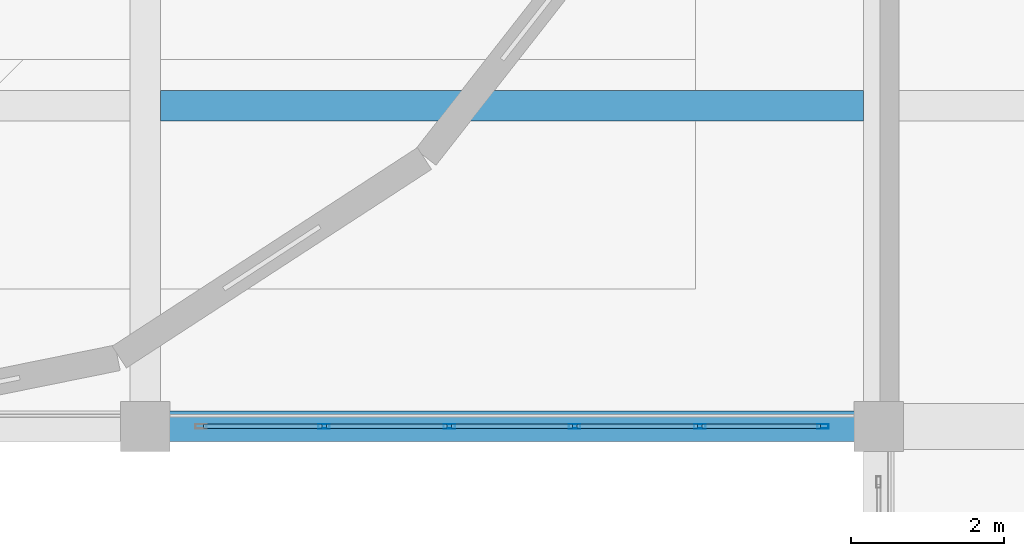
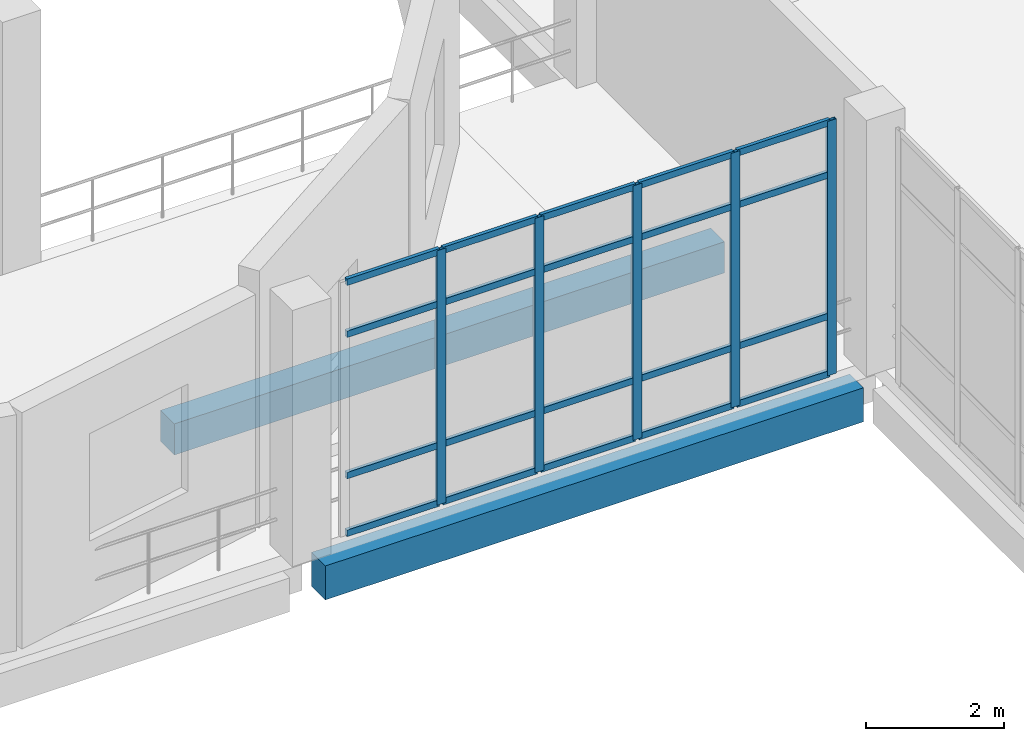
# One storey, part 37 of 88: 25 members, 2 beams, 1 element without a shape of its own.
"""IFC4 building model written with IfcOpenShell, lengths in metres."""

from ifc_helpers import new_model, si_unit, direction, frame, origin, origin_2d, place, context, subcontext, project, spatial, rectangle, hollow_rectangle, extrude, material, layer, layer_set, material_profile, profile_set, type_object, element, aggregate, save


model = new_model("IFC4")

# Units and contexts
model_context = context("Model", 3, precision=1e-05, world=origin(), true_north=direction((0.0, 1.0)))
body_context = subcontext(model_context, "Body", "Model", "MODEL_VIEW")
ifc_project = project(units=[si_unit("LENGTHUNIT", "METRE"), si_unit("AREAUNIT", "SQUARE_METRE"), si_unit("VOLUMEUNIT", "CUBIC_METRE"), si_unit("PLANEANGLEUNIT", "RADIAN"), si_unit("MASSUNIT", "GRAM", prefix="KILO")], contexts=[model_context])

# Site, building, storey
site_placement = place(None, origin())
site = spatial("IfcSite", under=ifc_project, at=site_placement, CompositionType="ELEMENT")
building_placement = place(site_placement, origin())
building = spatial("IfcBuilding", under=site, at=building_placement, Name="Lornevale Opera House", CompositionType="ELEMENT")
storey_placement = place(building_placement, frame((0.0, 0.0, 10.199951171875)))
storey = spatial("IfcBuildingStorey", under=building, at=storey_placement, Name="L03", CompositionType="ELEMENT", Elevation=10.199951171875)

# Beams
ifc_material_1 = material(Name="Concrete 35 MPa (CSA A23.1 N)", Category="concrete")
ifc_material_profile_1 = material_profile(ifc_material_1, rectangle(XDim=0.39990234375, YDim=0.550048828125, at=origin_2d()), Name="RC400x550")
ifc_profile_set_1 = profile_set([ifc_material_profile_1], Name="Concrete 35 MPa (CSA A23.1 N)")
beam_type_1 = type_object("IfcBeamType", Name="Auditorium Tier Raker Beam 400x550", PredefinedType="JOIST", material=ifc_profile_set_1)
beam_1_placement = place(storey_placement, frame((86.60009765625, 37.800048828125, -0.554931640625), z_axis=(1.0, 0.0, 0.0), x_axis=(0.0, 1.0, 0.0)))
element("IfcBeam", 1, at=beam_1_placement, inside=storey, type_object=beam_type_1, Name="Auditorium Tier Raker Beam 400x550 2414", PredefinedType="JOIST", context=body_context, shape_type="SweptSolid", body=[
    extrude(rectangle(XDim=0.39990234375, YDim=0.550048828125, at=origin_2d()), origin(), (0.0, 0.0, 1.0), 9.199951171875),
])
ifc_material_profile_2 = material_profile(ifc_material_1, rectangle(XDim=0.39990234375, YDim=0.60009765625, at=origin_2d()), Name="RC400x600")
ifc_profile_set_2 = profile_set([ifc_material_profile_2], Name="Concrete 35 MPa (CSA A23.1 N)")
beam_type_2 = type_object("IfcBeamType", Name="Concrete Spandrel Beam 400x600", PredefinedType="SPANDREL", material=ifc_profile_set_2)
beam_2_placement = place(storey_placement, frame((86.699951171875, 33.60009765625, -0.579833984375), z_axis=(1.0, 0.0, 0.0), x_axis=(0.0, 1.0, 0.0)))
element("IfcBeam", 2, at=beam_2_placement, inside=storey, type_object=beam_type_2, Name="Concrete Spandrel Beam 400x600 2123", PredefinedType="SPANDREL", context=body_context, shape_type="SweptSolid", body=[
    extrude(rectangle(XDim=0.39990234375, YDim=0.60009765625, at=origin_2d()), origin(), (0.0, 0.0, 1.0), 9.0),
])

# Curtain wall, members
ifc_material_2 = material(Name="Anodized Oxide-Green Aluminium Framing", Category="aluminium")
ifc_layer = layer(ifc_material_2, 0.14990234375)
ifc_layer_set = layer_set([ifc_layer], Name="Anodized Oxide-Green Aluminium Framing")
curtain_wall_type = type_object("IfcCurtainWallType", Name="North-Light Clerestory Curtain Wall M1600", PredefinedType="NOTDEFINED", material=ifc_layer_set)
curtain_wall_placement = place(storey_placement, origin())
curtain_wall = element("IfcCurtainWall", 3, at=curtain_wall_placement, inside=storey, type_object=curtain_wall_type, Name="North-Light Clerestory Curtain Wall M1600 CW-182", PredefinedType="NOTDEFINED")
ifc_material_profile_3 = material_profile(ifc_material_2, hollow_rectangle(XDim=0.06005859375, YDim=0.14990234375, WallThickness=0.00390625, at=origin_2d()), Name="ALU60x150x4")
ifc_profile_set_3 = profile_set([ifc_material_profile_3], Name="Anodized Oxide-Green Aluminium Framing")
member_type_1 = type_object("IfcMemberType", Name="Curtain Wall Mullion 60x150", PredefinedType="MULLION", material=ifc_profile_set_3)
member_1_placement = place(storey_placement, frame((88.739990234375, 33.60009765625, 0.0), z_axis=(0.0, 0.0, 1.0), x_axis=(0.0, 1.0, 0.0)))
member_1 = element("IfcMember", 4, at=member_1_placement, type_object=member_type_1, Name="Curtain Wall Mullion 60x150 CW3847", PredefinedType="MULLION", context=body_context, shape_type="SweptSolid", body=[
    extrude(hollow_rectangle(XDim=0.06005859375, YDim=0.14990234375, WallThickness=0.00390625, at=origin_2d()), origin(), (0.0, 0.0, 1.0), 4.5),
])
member_2_placement = place(storey_placement, frame((90.3798828125, 33.60009765625, 0.0), z_axis=(0.0, 0.0, 1.0), x_axis=(0.0, 1.0, 0.0)))
member_2 = element("IfcMember", 5, at=member_2_placement, type_object=member_type_1, Name="Curtain Wall Mullion 60x150 CW3848", PredefinedType="MULLION", context=body_context, shape_type="SweptSolid", body=[
    extrude(hollow_rectangle(XDim=0.06005859375, YDim=0.14990234375, WallThickness=0.00390625, at=origin_2d()), origin(), (0.0, 0.0, 1.0), 4.5),
])
member_3_placement = place(storey_placement, frame((92.02001953125, 33.60009765625, 0.0), z_axis=(0.0, 0.0, 1.0), x_axis=(0.0, 1.0, 0.0)))
member_3 = element("IfcMember", 6, at=member_3_placement, type_object=member_type_1, Name="Curtain Wall Mullion 60x150 CW3849", PredefinedType="MULLION", context=body_context, shape_type="SweptSolid", body=[
    extrude(hollow_rectangle(XDim=0.06005859375, YDim=0.14990234375, WallThickness=0.00390625, at=origin_2d()), origin(), (0.0, 0.0, 1.0), 4.5),
])
member_4_placement = place(storey_placement, frame((93.659912109375, 33.60009765625, 0.0), z_axis=(0.0, 0.0, 1.0), x_axis=(0.0, 1.0, 0.0)))
member_4 = element("IfcMember", 7, at=member_4_placement, type_object=member_type_1, Name="Curtain Wall Mullion 60x150 CW3850", PredefinedType="MULLION", context=body_context, shape_type="SweptSolid", body=[
    extrude(hollow_rectangle(XDim=0.06005859375, YDim=0.14990234375, WallThickness=0.00390625, at=origin_2d()), origin(), (0.0, 0.0, 1.0), 4.5),
])
member_5_placement = place(storey_placement, frame((95.27001953125, 33.60009765625, 0.0), z_axis=(0.0, 0.0, 1.0), x_axis=(0.0, 1.0, 0.0)))
member_5 = element("IfcMember", 8, at=member_5_placement, type_object=member_type_1, Name="Curtain Wall Mullion 60x150 CW3851", PredefinedType="MULLION", context=body_context, shape_type="SweptSolid", body=[
    extrude(hollow_rectangle(XDim=0.06005859375, YDim=0.14990234375, WallThickness=0.00390625, at=origin_2d()), origin(), (0.0, 0.0, 1.0), 4.5),
])
ifc_material_profile_4 = material_profile(ifc_material_2, hollow_rectangle(XDim=0.06005859375, YDim=0.114990234375, WallThickness=0.00390625, at=origin_2d()), Name="ALU60x115x4")
ifc_profile_set_4 = profile_set([ifc_material_profile_4], Name="Anodized Oxide-Green Aluminium Framing")
member_type_2 = type_object("IfcMemberType", Name="Curtain Wall Transom 60x115", PredefinedType="USERDEFINED", material=ifc_profile_set_4)
member_6_placement = place(storey_placement, frame((87.159912109375, 33.60009765625, 0.030029296875), z_axis=(1.0, 0.0, 0.0), x_axis=(0.0, 1.0, 0.0)))
member_6 = element("IfcMember", 9, at=member_6_placement, type_object=member_type_2, Name="Curtain Wall Transom 60x115 CW3852", ObjectType="TRANSOM", PredefinedType="USERDEFINED", context=body_context, shape_type="SweptSolid", body=[
    extrude(hollow_rectangle(XDim=0.06005859375, YDim=0.114990234375, WallThickness=0.00390625, at=origin_2d()), origin(), (0.0, 0.0, 1.0), 1.550048828125),
])
member_7_placement = place(storey_placement, frame((87.159912109375, 33.60009765625, 1.050048828125), z_axis=(1.0, 0.0, 0.0), x_axis=(0.0, 1.0, 0.0)))
member_7 = element("IfcMember", 10, at=member_7_placement, type_object=member_type_2, Name="Curtain Wall Transom 60x115 CW3853", ObjectType="TRANSOM", PredefinedType="USERDEFINED", context=body_context, shape_type="SweptSolid", body=[
    extrude(hollow_rectangle(XDim=0.06005859375, YDim=0.114990234375, WallThickness=0.00390625, at=origin_2d()), origin(), (0.0, 0.0, 1.0), 1.550048828125),
])
member_8_placement = place(storey_placement, frame((87.159912109375, 33.60009765625, 3.550048828125), z_axis=(1.0, 0.0, 0.0), x_axis=(0.0, 1.0, 0.0)))
member_8 = element("IfcMember", 11, at=member_8_placement, type_object=member_type_2, Name="Curtain Wall Transom 60x115 CW3854", ObjectType="TRANSOM", PredefinedType="USERDEFINED", context=body_context, shape_type="SweptSolid", body=[
    extrude(hollow_rectangle(XDim=0.06005859375, YDim=0.114990234375, WallThickness=0.00390625, at=origin_2d()), origin(), (0.0, 0.0, 1.0), 1.550048828125),
])
member_9_placement = place(storey_placement, frame((87.159912109375, 33.60009765625, 4.469970703125), z_axis=(1.0, 0.0, 0.0), x_axis=(0.0, 1.0, 0.0)))
member_9 = element("IfcMember", 12, at=member_9_placement, type_object=member_type_2, Name="Curtain Wall Transom 60x115 CW3855", ObjectType="TRANSOM", PredefinedType="USERDEFINED", context=body_context, shape_type="SweptSolid", body=[
    extrude(hollow_rectangle(XDim=0.06005859375, YDim=0.114990234375, WallThickness=0.00390625, at=origin_2d()), origin(), (0.0, 0.0, 1.0), 1.550048828125),
])
member_10_placement = place(storey_placement, frame((88.77001953125, 33.60009765625, 0.030029296875), z_axis=(1.0, 0.0, 0.0), x_axis=(0.0, 1.0, 0.0)))
member_10 = element("IfcMember", 13, at=member_10_placement, type_object=member_type_2, Name="Curtain Wall Transom 60x115 CW3859", ObjectType="TRANSOM", PredefinedType="USERDEFINED", context=body_context, shape_type="SweptSolid", body=[
    extrude(hollow_rectangle(XDim=0.06005859375, YDim=0.114990234375, WallThickness=0.00390625, at=origin_2d()), origin(), (0.0, 0.0, 1.0), 1.580078125),
])
member_11_placement = place(storey_placement, frame((88.77001953125, 33.60009765625, 1.050048828125), z_axis=(1.0, 0.0, 0.0), x_axis=(0.0, 1.0, 0.0)))
member_11 = element("IfcMember", 14, at=member_11_placement, type_object=member_type_2, Name="Curtain Wall Transom 60x115 CW3860", ObjectType="TRANSOM", PredefinedType="USERDEFINED", context=body_context, shape_type="SweptSolid", body=[
    extrude(hollow_rectangle(XDim=0.06005859375, YDim=0.114990234375, WallThickness=0.00390625, at=origin_2d()), origin(), (0.0, 0.0, 1.0), 1.580078125),
])
member_12_placement = place(storey_placement, frame((88.77001953125, 33.60009765625, 3.550048828125), z_axis=(1.0, 0.0, 0.0), x_axis=(0.0, 1.0, 0.0)))
member_12 = element("IfcMember", 15, at=member_12_placement, type_object=member_type_2, Name="Curtain Wall Transom 60x115 CW3861", ObjectType="TRANSOM", PredefinedType="USERDEFINED", context=body_context, shape_type="SweptSolid", body=[
    extrude(hollow_rectangle(XDim=0.06005859375, YDim=0.114990234375, WallThickness=0.00390625, at=origin_2d()), origin(), (0.0, 0.0, 1.0), 1.580078125),
])
member_13_placement = place(storey_placement, frame((88.77001953125, 33.60009765625, 4.469970703125), z_axis=(1.0, 0.0, 0.0), x_axis=(0.0, 1.0, 0.0)))
member_13 = element("IfcMember", 16, at=member_13_placement, type_object=member_type_2, Name="Curtain Wall Transom 60x115 CW3862", ObjectType="TRANSOM", PredefinedType="USERDEFINED", context=body_context, shape_type="SweptSolid", body=[
    extrude(hollow_rectangle(XDim=0.06005859375, YDim=0.114990234375, WallThickness=0.00390625, at=origin_2d()), origin(), (0.0, 0.0, 1.0), 1.580078125),
])
member_14_placement = place(storey_placement, frame((90.409912109375, 33.60009765625, 0.030029296875), z_axis=(1.0, 0.0, 0.0), x_axis=(0.0, 1.0, 0.0)))
member_14 = element("IfcMember", 17, at=member_14_placement, type_object=member_type_2, Name="Curtain Wall Transom 60x115 CW3866", ObjectType="TRANSOM", PredefinedType="USERDEFINED", context=body_context, shape_type="SweptSolid", body=[
    extrude(hollow_rectangle(XDim=0.06005859375, YDim=0.114990234375, WallThickness=0.00390625, at=origin_2d()), origin(), (0.0, 0.0, 1.0), 1.580078125),
])
member_15_placement = place(storey_placement, frame((90.409912109375, 33.60009765625, 1.050048828125), z_axis=(1.0, 0.0, 0.0), x_axis=(0.0, 1.0, 0.0)))
member_15 = element("IfcMember", 18, at=member_15_placement, type_object=member_type_2, Name="Curtain Wall Transom 60x115 CW3867", ObjectType="TRANSOM", PredefinedType="USERDEFINED", context=body_context, shape_type="SweptSolid", body=[
    extrude(hollow_rectangle(XDim=0.06005859375, YDim=0.114990234375, WallThickness=0.00390625, at=origin_2d()), origin(), (0.0, 0.0, 1.0), 1.580078125),
])
member_16_placement = place(storey_placement, frame((90.409912109375, 33.60009765625, 3.550048828125), z_axis=(1.0, 0.0, 0.0), x_axis=(0.0, 1.0, 0.0)))
member_16 = element("IfcMember", 19, at=member_16_placement, type_object=member_type_2, Name="Curtain Wall Transom 60x115 CW3868", ObjectType="TRANSOM", PredefinedType="USERDEFINED", context=body_context, shape_type="SweptSolid", body=[
    extrude(hollow_rectangle(XDim=0.06005859375, YDim=0.114990234375, WallThickness=0.00390625, at=origin_2d()), origin(), (0.0, 0.0, 1.0), 1.580078125),
])
member_17_placement = place(storey_placement, frame((90.409912109375, 33.60009765625, 4.469970703125), z_axis=(1.0, 0.0, 0.0), x_axis=(0.0, 1.0, 0.0)))
member_17 = element("IfcMember", 20, at=member_17_placement, type_object=member_type_2, Name="Curtain Wall Transom 60x115 CW3869", ObjectType="TRANSOM", PredefinedType="USERDEFINED", context=body_context, shape_type="SweptSolid", body=[
    extrude(hollow_rectangle(XDim=0.06005859375, YDim=0.114990234375, WallThickness=0.00390625, at=origin_2d()), origin(), (0.0, 0.0, 1.0), 1.580078125),
])
member_18_placement = place(storey_placement, frame((92.050048828125, 33.60009765625, 0.030029296875), z_axis=(1.0, 0.0, 0.0), x_axis=(0.0, 1.0, 0.0)))
member_18 = element("IfcMember", 21, at=member_18_placement, type_object=member_type_2, Name="Curtain Wall Transom 60x115 CW3873", ObjectType="TRANSOM", PredefinedType="USERDEFINED", context=body_context, shape_type="SweptSolid", body=[
    extrude(hollow_rectangle(XDim=0.06005859375, YDim=0.114990234375, WallThickness=0.00390625, at=origin_2d()), origin(), (0.0, 0.0, 1.0), 1.579833984375),
])
member_19_placement = place(storey_placement, frame((92.050048828125, 33.60009765625, 1.050048828125), z_axis=(1.0, 0.0, 0.0), x_axis=(0.0, 1.0, 0.0)))
member_19 = element("IfcMember", 22, at=member_19_placement, type_object=member_type_2, Name="Curtain Wall Transom 60x115 CW3874", ObjectType="TRANSOM", PredefinedType="USERDEFINED", context=body_context, shape_type="SweptSolid", body=[
    extrude(hollow_rectangle(XDim=0.06005859375, YDim=0.114990234375, WallThickness=0.00390625, at=origin_2d()), origin(), (0.0, 0.0, 1.0), 1.579833984375),
])
member_20_placement = place(storey_placement, frame((92.050048828125, 33.60009765625, 3.550048828125), z_axis=(1.0, 0.0, 0.0), x_axis=(0.0, 1.0, 0.0)))
member_20 = element("IfcMember", 23, at=member_20_placement, type_object=member_type_2, Name="Curtain Wall Transom 60x115 CW3875", ObjectType="TRANSOM", PredefinedType="USERDEFINED", context=body_context, shape_type="SweptSolid", body=[
    extrude(hollow_rectangle(XDim=0.06005859375, YDim=0.114990234375, WallThickness=0.00390625, at=origin_2d()), origin(), (0.0, 0.0, 1.0), 1.579833984375),
])
member_21_placement = place(storey_placement, frame((92.050048828125, 33.60009765625, 4.469970703125), z_axis=(1.0, 0.0, 0.0), x_axis=(0.0, 1.0, 0.0)))
member_21 = element("IfcMember", 24, at=member_21_placement, type_object=member_type_2, Name="Curtain Wall Transom 60x115 CW3876", ObjectType="TRANSOM", PredefinedType="USERDEFINED", context=body_context, shape_type="SweptSolid", body=[
    extrude(hollow_rectangle(XDim=0.06005859375, YDim=0.114990234375, WallThickness=0.00390625, at=origin_2d()), origin(), (0.0, 0.0, 1.0), 1.579833984375),
])
member_22_placement = place(storey_placement, frame((93.68994140625, 33.60009765625, 0.030029296875), z_axis=(1.0, 0.0, 0.0), x_axis=(0.0, 1.0, 0.0)))
member_22 = element("IfcMember", 25, at=member_22_placement, type_object=member_type_2, Name="Curtain Wall Transom 60x115 CW3880", ObjectType="TRANSOM", PredefinedType="USERDEFINED", context=body_context, shape_type="SweptSolid", body=[
    extrude(hollow_rectangle(XDim=0.06005859375, YDim=0.114990234375, WallThickness=0.00390625, at=origin_2d()), origin(), (0.0, 0.0, 1.0), 1.550048828125),
])
member_23_placement = place(storey_placement, frame((93.68994140625, 33.60009765625, 1.050048828125), z_axis=(1.0, 0.0, 0.0), x_axis=(0.0, 1.0, 0.0)))
member_23 = element("IfcMember", 26, at=member_23_placement, type_object=member_type_2, Name="Curtain Wall Transom 60x115 CW3881", ObjectType="TRANSOM", PredefinedType="USERDEFINED", context=body_context, shape_type="SweptSolid", body=[
    extrude(hollow_rectangle(XDim=0.06005859375, YDim=0.114990234375, WallThickness=0.00390625, at=origin_2d()), origin(), (0.0, 0.0, 1.0), 1.550048828125),
])
member_24_placement = place(storey_placement, frame((93.68994140625, 33.60009765625, 3.550048828125), z_axis=(1.0, 0.0, 0.0), x_axis=(0.0, 1.0, 0.0)))
member_24 = element("IfcMember", 27, at=member_24_placement, type_object=member_type_2, Name="Curtain Wall Transom 60x115 CW3882", ObjectType="TRANSOM", PredefinedType="USERDEFINED", context=body_context, shape_type="SweptSolid", body=[
    extrude(hollow_rectangle(XDim=0.06005859375, YDim=0.114990234375, WallThickness=0.00390625, at=origin_2d()), origin(), (0.0, 0.0, 1.0), 1.550048828125),
])
member_25_placement = place(storey_placement, frame((93.68994140625, 33.60009765625, 4.469970703125), z_axis=(1.0, 0.0, 0.0), x_axis=(0.0, 1.0, 0.0)))
member_25 = element("IfcMember", 28, at=member_25_placement, type_object=member_type_2, Name="Curtain Wall Transom 60x115 CW3883", ObjectType="TRANSOM", PredefinedType="USERDEFINED", context=body_context, shape_type="SweptSolid", body=[
    extrude(hollow_rectangle(XDim=0.06005859375, YDim=0.114990234375, WallThickness=0.00390625, at=origin_2d()), origin(), (0.0, 0.0, 1.0), 1.550048828125),
])
aggregate(curtain_wall, [member_1, member_2, member_3, member_4, member_5, member_6, member_7, member_8, member_9, member_10, member_11, member_12, member_13, member_14, member_15, member_16, member_17, member_18, member_19, member_20, member_21, member_22, member_23, member_24, member_25])

save(model, "model.ifc")
